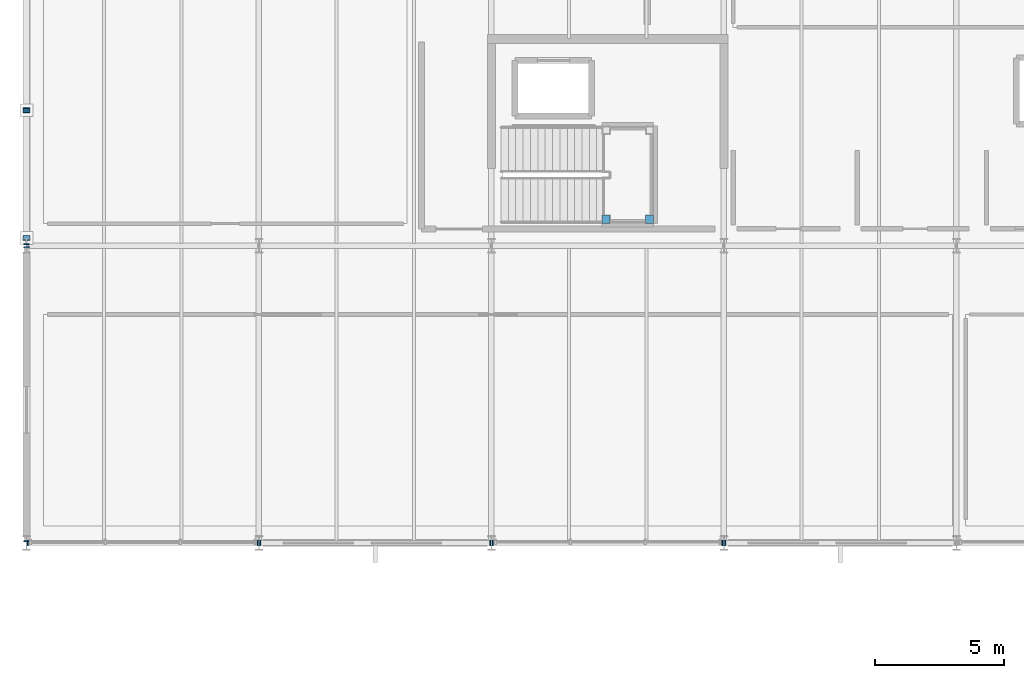
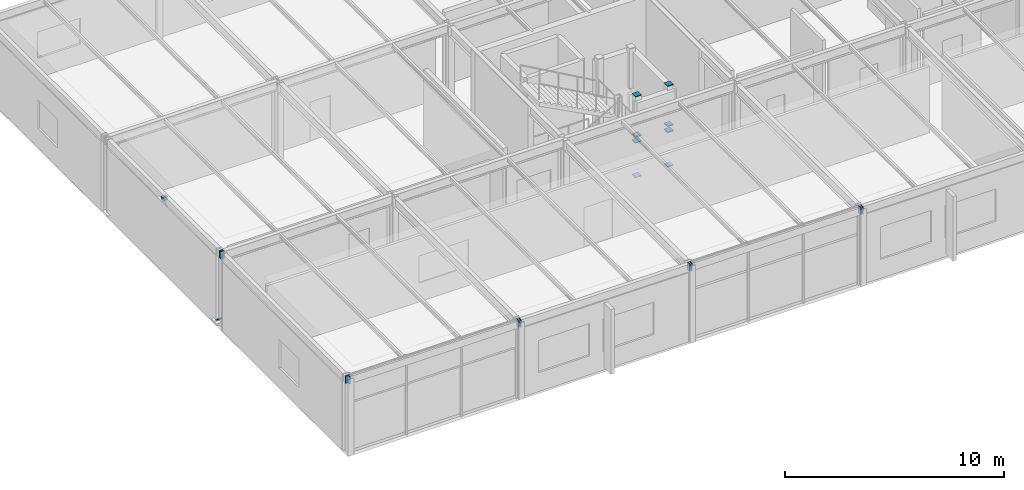
# One storey, part 27 of 44: 21 discrete accessories.
"""IFC4 building model written with IfcOpenShell, lengths in metres."""

from ifc_helpers import new_model, si_unit, direction, frame, origin, origin_2d, place, context, subcontext, project, spatial, rectangle, extrude, material, element, save


model = new_model("IFC4")

# Units and contexts
model_context = context("Model", 3, precision=1e-05, world=origin(), true_north=direction((0.0, 1.0)))
body_context = subcontext(model_context, "Body", "Model", "MODEL_VIEW")
ifc_project = project(units=[si_unit("LENGTHUNIT", "METRE"), si_unit("AREAUNIT", "SQUARE_METRE"), si_unit("VOLUMEUNIT", "CUBIC_METRE"), si_unit("PLANEANGLEUNIT", "RADIAN"), si_unit("MASSUNIT", "GRAM", prefix="KILO")], contexts=[model_context])

# Site, building, storey
site_placement = place(None, origin())
site = spatial("IfcSite", under=ifc_project, at=site_placement, CompositionType="ELEMENT")
building_placement = place(site_placement, origin())
building = spatial("IfcBuilding", under=site, at=building_placement, Name="Marlcrest Central Station", CompositionType="ELEMENT")
storey_placement = place(building_placement, frame((0.0, 0.0, 19.5)))
storey = spatial("IfcBuildingStorey", under=building, at=storey_placement, Name="L04", CompositionType="ELEMENT", Elevation=19.5)

# Discrete accessories
ifc_material = material(Name="Steel S355", Category="steel")
for number, where, z_axis, x_axis, name in (
    (1, (0.03515625, 99.0, 4.074951171875), (1.0, 0.0, 0.0), (0.0, 1.0, 0.0), "endcap-bm-SP-01-L04-00575-s"),
    (2, (8.925048828125, 99.0, 4.074951171875), (1.0, 0.0, 0.0), (0.0, 1.0, 0.0), "endcap-bm-SP-01-L04-00575-e"),
    (3, (9.03515625, 99.0, 4.074951171875), (1.0, 0.0, 0.0), (0.0, 1.0, 0.0), "endcap-bm-SP-01-L04-00576-s"),
    (4, (17.925048828125, 99.0, 4.074951171875), (1.0, 0.0, 0.0), (0.0, 1.0, 0.0), "endcap-bm-SP-01-L04-00576-e"),
    (5, (18.03515625, 99.0, 4.074951171875), (1.0, 0.0, 0.0), (0.0, 1.0, 0.0), "endcap-bm-SP-01-L04-00577-s"),
    (6, (26.925048828125, 99.0, 4.074951171875), (1.0, 0.0, 0.0), (0.0, 1.0, 0.0), "endcap-bm-SP-01-L04-00577-e"),
    (7, (27.03515625, 99.0, 4.074951171875), (1.0, 0.0, 0.0), (0.0, 1.0, 0.0), "endcap-bm-SP-01-L04-00578-s"),
    (8, (0.0, 99.03515625, 4.074951171875), (0.0, 1.0, 0.0), (-1.0, 0.0, 0.0), "endcap-bm-SP-01-L04-00603-s"),
    (9, (0.0, 110.425048828125, 4.074951171875), (0.0, 1.0, 0.0), (-1.0, 0.0, 0.0), "endcap-bm-SP-01-L04-00603-e"),
    (10, (0.0, 110.53515625, 4.074951171875), (0.0, 1.0, 0.0), (-1.0, 0.0, 0.0), "endcap-bm-SP-01-L04-00604-s"),
):
    element("IfcDiscreteAccessory", number, at=place(storey_placement, frame(where, z_axis=z_axis, x_axis=x_axis)), inside=storey, material=ifc_material, Name=name, ObjectType="END_CAP_PLATE", PredefinedType="BRACKET", context=body_context, shape_type="SweptSolid", body=[
        extrude(rectangle(XDim=0.216064453125, YDim=0.416015625, at=origin_2d()), origin(), (0.0, 0.0, 1.0), 0.0400390625),
    ])
for number, where, z_axis, x_axis, name in (
    (11, (0.0, 110.7880859375, 0.240966796875), (0.0, 0.795159753467, 0.606400005332), (-1.0, 0.0, 0.0), "endcap-mem-BF-02-L04-00009-s"),
    (12, (0.0, 115.730224609375, 4.009765625), (0.0, 0.795159753467, 0.606400005332), (-1.0, 0.0, 0.0), "endcap-mem-BF-02-L04-00009-e"),
    (13, (0.0, 115.769775390625, 4.009765625), (0.0, -0.795159753467, 0.606400005332), (1.0, 0.0, 0.0), "endcap-mem-BF-02-L04-00010-e"),
):
    element("IfcDiscreteAccessory", number, at=place(storey_placement, frame(where, z_axis=z_axis, x_axis=x_axis)), inside=storey, material=ifc_material, Name=name, ObjectType="END_CAP_PLATE", PredefinedType="BRACKET", context=body_context, shape_type="SweptSolid", body=[
        extrude(rectangle(XDim=0.26611328125, YDim=0.26611328125, at=origin_2d()), origin(), (0.0, 0.0, 1.0), 0.0400390625),
    ])
for number, where, z_axis, x_axis, name in (
    (14, (22.43994140625, 111.530029296875, -0.014892578125), (0.0, 0.0, 1.0), (1.0, 0.0, 0.0), "endcap-htcol-lo-0052-0-s"),
    (15, (22.43994140625, 111.530029296875, 1.905029296875), (0.0, 0.0, 1.0), (1.0, 0.0, 0.0), "endcap-htcol-lo-0052-0-e"),
    (16, (22.43994140625, 111.530029296875, 2.235107421875), (0.0, 0.0, 1.0), (1.0, 0.0, 0.0), "endcap-htcol-hi-0052-0-s"),
    (17, (22.43994140625, 111.530029296875, 4.47509765625), (0.0, 0.0, 1.0), (1.0, 0.0, 0.0), "endcap-htcol-hi-0052-0-e"),
    (18, (24.1201171875, 111.530029296875, -0.014892578125), (0.0, 0.0, 1.0), (1.0, 0.0, 0.0), "endcap-htcol-lo-0052-1-s"),
    (19, (24.1201171875, 111.530029296875, 1.905029296875), (0.0, 0.0, 1.0), (1.0, 0.0, 0.0), "endcap-htcol-lo-0052-1-e"),
    (20, (24.1201171875, 111.530029296875, 2.235107421875), (0.0, 0.0, 1.0), (1.0, 0.0, 0.0), "endcap-htcol-hi-0052-1-s"),
    (21, (24.1201171875, 111.530029296875, 4.47509765625), (0.0, 0.0, 1.0), (1.0, 0.0, 0.0), "endcap-htcol-hi-0052-1-e"),
):
    element("IfcDiscreteAccessory", number, at=place(storey_placement, frame(where, z_axis=z_axis, x_axis=x_axis)), inside=storey, material=ifc_material, Name=name, ObjectType="END_CAP_PLATE", PredefinedType="BRACKET", context=body_context, shape_type="SweptSolid", body=[
        extrude(rectangle(XDim=0.31591796875, YDim=0.31591796875, at=origin_2d()), origin(), (0.0, 0.0, 1.0), 0.0400390625),
    ])

save(model, "model.ifc")
